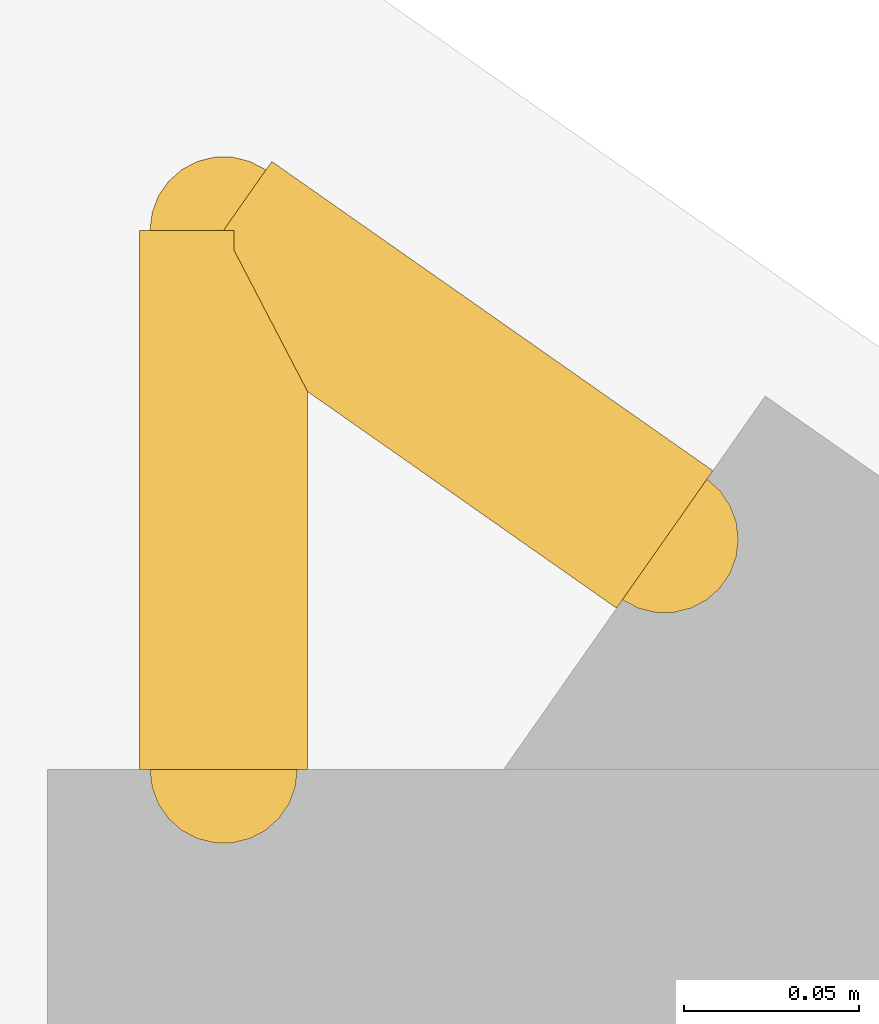
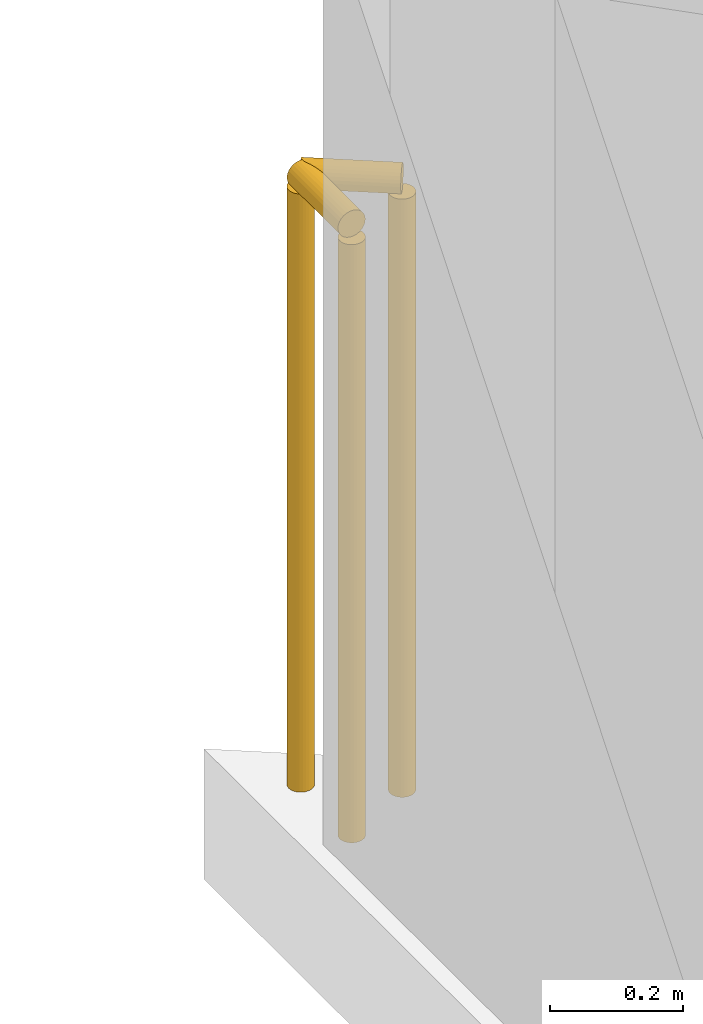
# One storey, part 16 of 16: 2 railings.
"""IFC4 building model written with IfcOpenShell, lengths in metres."""

from ifc_helpers import new_model, si_unit, direction, frame, origin, origin_2d, place, context, subcontext, project, spatial, circle, extrude, material, type_object, element, save


model = new_model("IFC4")

# Units and contexts
model_context = context("Model", 3, precision=1e-05, world=origin(), true_north=direction((0.0, 1.0)))
body_context = subcontext(model_context, "Body", "Model", "MODEL_VIEW")
ifc_project = project(units=[si_unit("LENGTHUNIT", "METRE"), si_unit("AREAUNIT", "SQUARE_METRE"), si_unit("VOLUMEUNIT", "CUBIC_METRE"), si_unit("PLANEANGLEUNIT", "RADIAN"), si_unit("MASSUNIT", "GRAM", prefix="KILO")], contexts=[model_context])

# Site, building, storey
site_placement = place(None, origin())
site = spatial("IfcSite", under=ifc_project, at=site_placement, CompositionType="ELEMENT")
building_placement = place(site_placement, origin())
building = spatial("IfcBuilding", under=site, at=building_placement, Name="Varnakote Quay Hospital", CompositionType="ELEMENT")
storey_placement = place(building_placement, frame((0.0, 0.0, 188.14990234375)))
storey = spatial("IfcBuildingStorey", under=building, at=storey_placement, Name="L46", CompositionType="ELEMENT", Elevation=188.14990234375)

# Railings
ifc_material = material(Name="Anodised aluminium 6063-T6 Bronze", Category="aluminium")
railing_type = type_object("IfcRailingType", Name="RLG-EXT-GUARD-1150", PredefinedType="GUARDRAIL", material=ifc_material)
railing_1_placement = place(storey_placement, frame((2.580078125, 42.492431640625, 0.0)))
element("IfcRailing", 1, at=railing_1_placement, inside=storey, type_object=railing_type, Name="L46 Slab Edge Perimeter Safety Guard", PredefinedType="GUARDRAIL", context=body_context, shape_type="SweptSolid", body=[
    extrude(circle(Radius=0.02392578125, at=origin_2d()), frame((0.0, 0.0, 1.1259765625), z_axis=(0.0, 1.0, 0.0), x_axis=(-1.0, 0.0, 0.0)), (0.0, 0.0, 1.0), 0.15380859375),
    extrude(circle(Radius=0.02099609375, at=origin_2d()), origin(), (0.0, 0.0, 1.0), 1.101806640625),
    extrude(circle(Radius=0.02099609375, at=origin_2d()), frame((0.0, 0.15380859375, 0.0)), (0.0, 0.0, 1.0), 1.101806640625),
])
railing_2_placement = place(storey_placement, frame((2.580078125, 42.646240234375, 0.0)))
element("IfcRailing", 2, at=railing_2_placement, inside=storey, type_object=railing_type, Name="L46 Slab Edge Perimeter Safety Guard", PredefinedType="GUARDRAIL", context=body_context, shape_type="SweptSolid", body=[
    extrude(circle(Radius=0.02392578125, at=origin_2d()), frame((0.0, 0.0, 1.1259765625), z_axis=(0.818858253068, -0.57399578516, 0.0), x_axis=(0.57399578516, 0.818858253068, 0.0)), (0.0, 0.0, 1.0), 0.153564453125),
    extrude(circle(Radius=0.02099609375, at=origin_2d()), origin(), (0.0, 0.0, 1.0), 1.101806640625),
    extrude(circle(Radius=0.02099609375, at=origin_2d()), frame((0.125732421875, -0.088134765625, 0.0)), (0.0, 0.0, 1.0), 1.101806640625),
])

save(model, "model.ifc")
